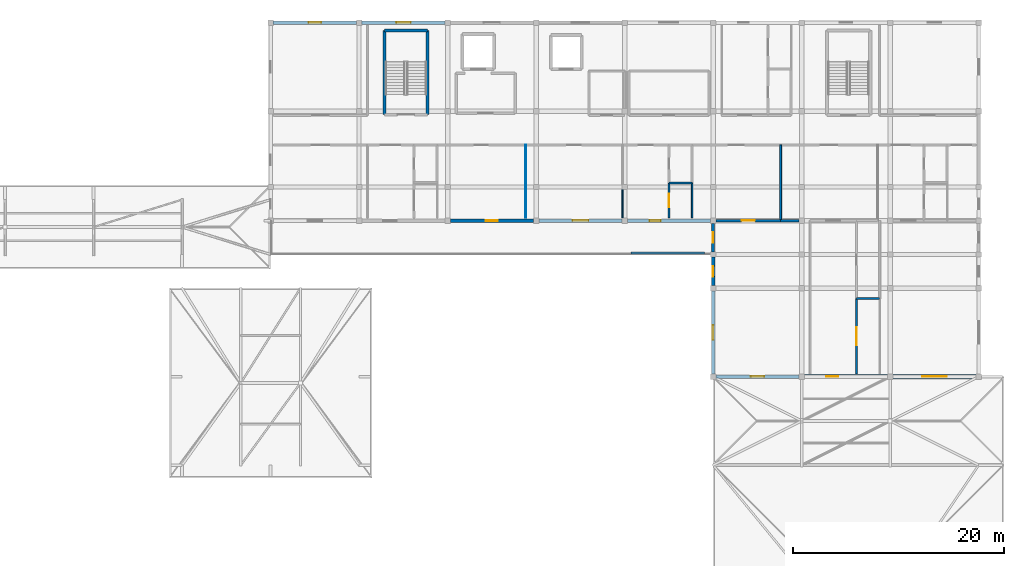
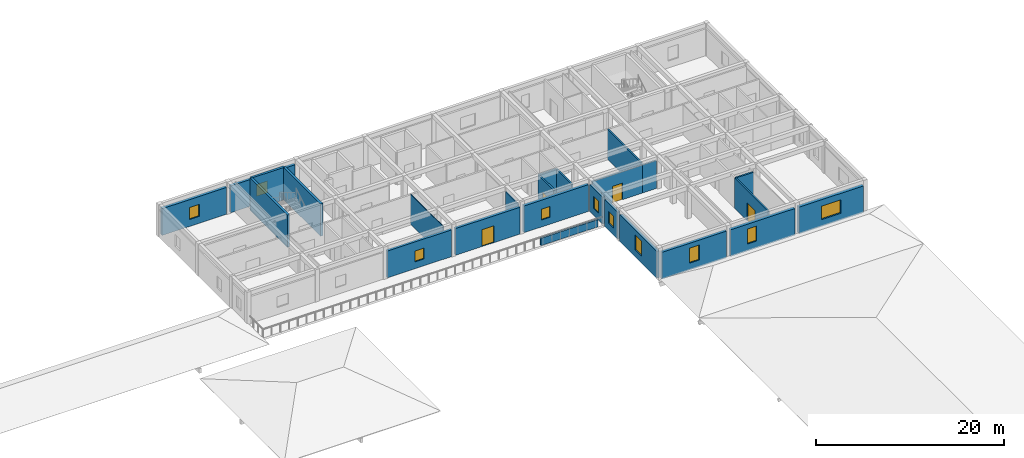
# One storey, part 15 of 26: 25 walls, 10 windows, 4 doors, 14 openings.
"""IFC4 building model written with IfcOpenShell, lengths in metres."""

from ifc_helpers import new_model, si_unit, direction, frame, frame_2d, origin, place, context, subcontext, project, spatial, rectangle, extrude, material, layer, layer_set, type_object, element, fill, save


model = new_model("IFC4")

# Units and contexts
model_context = context("Model", 3, precision=1e-05, world=origin(), true_north=direction((0.0, 1.0)))
body_context = subcontext(model_context, "Body", "Model", "MODEL_VIEW")
ifc_project = project(units=[si_unit("LENGTHUNIT", "METRE"), si_unit("AREAUNIT", "SQUARE_METRE"), si_unit("VOLUMEUNIT", "CUBIC_METRE"), si_unit("PLANEANGLEUNIT", "RADIAN"), si_unit("MASSUNIT", "GRAM", prefix="KILO")], contexts=[model_context])

# Site, building, storey
site_placement = place(None, origin())
site = spatial("IfcSite", under=ifc_project, at=site_placement, CompositionType="ELEMENT")
building_placement = place(site_placement, origin())
building = spatial("IfcBuilding", under=site, at=building_placement, Name="Varncliffe General Hospital", CompositionType="ELEMENT")
storey_placement = place(building_placement, frame((0.0, 0.0, 28.800048828125)))
storey = spatial("IfcBuildingStorey", under=building, at=storey_placement, Name="L06", CompositionType="ELEMENT", Elevation=28.800048828125)

# Wall, opening, window
ifc_material_1 = material(Name="Precast concrete C40/50 with insulated cream lime-cement stucco", Category="concrete")
ifc_layer_1 = layer(ifc_material_1, 0.31005859375)
ifc_layer_set_1 = layer_set([ifc_layer_1], Name="Precast concrete C40/50 with insulated cream lime-cement stucco")
wall_type_1 = type_object("IfcWallType", Name="Exterior Insulated Stucco Wall EW20 (310mm)", PredefinedType="SOLIDWALL", material=ifc_layer_set_1)
wall_1_placement = place(storey_placement, frame((134.152099609375, 106.0, 0.0), z_axis=(0.0, 0.0, 1.0), x_axis=(-1.0, 0.0, 0.0)))
wall_1 = element("IfcWall", 1, at=wall_1_placement, inside=storey, type_object=wall_type_1, Name="L06 Exterior Stucco Wall EW20-511", PredefinedType="SOLIDWALL", context=body_context, shape_type="SweptSolid", body=[
    extrude(rectangle(XDim=7.904052734375, YDim=0.31005859375, at=frame_2d((3.9521484375, 0.0))), origin(), (0.0, 0.0, 1.0), 3.47998046875),
])
opening_1_placement = place(wall_1_placement, frame((3.376953125, 0.0, 0.89990234375)))
opening_1 = element("IfcOpeningElement", 2, at=opening_1_placement, cuts=wall_1, Name="Opening WN62", PredefinedType="OPENING", context=body_context, shape_type="SweptSolid", body=[
    extrude(rectangle(XDim=1.14990234375, YDim=1.39990234375, at=frame_2d((0.574951171875, 0.699951171875))), frame((0.0, 0.1650390625, 0.0), z_axis=(0.0, -1.0, 0.0), x_axis=(1.0, 0.0, 0.0)), (0.0, 0.0, 1.0), 0.330078125),
])
ifc_material_2 = material(Name="Triple low-E argon insulated vision glazing", Category="glass")
window_type_1 = type_object("IfcWindowType", Name="Triple-Glazed Hospital Window WN62 (1150x1400)", PartitioningType="SINGLE_PANEL", PredefinedType="WINDOW", material=ifc_material_2)
window_1_placement = place(opening_1_placement, origin())
window_1 = element("IfcWindow", 3, at=window_1_placement, inside=storey, type_object=window_type_1, Name="L06 Hospital Window WN62-400", OverallHeight=1.39990234375, OverallWidth=1.14990234375, PartitioningType="SINGLE_PANEL", PredefinedType="WINDOW", context=body_context, shape_type="SweptSolid", body=[
    extrude(rectangle(XDim=1.14990234375, YDim=1.39990234375, at=frame_2d((0.574951171875, 0.699951171875))), frame((0.0, 0.030029296875, 0.0), z_axis=(0.0, -1.0, 0.0), x_axis=(1.0, 0.0, 0.0)), (0.0, 0.0, 1.0), 0.06005859375),
])
fill(opening_1, window_1)

wall_2_placement = place(storey_placement, frame((151.199951171875, 99.847900390625, 0.0), z_axis=(0.0, 0.0, 1.0), x_axis=(0.0, 1.0, 0.0)))
wall_2 = element("IfcWall", 4, at=wall_2_placement, inside=storey, type_object=wall_type_1, Name="L06 Exterior Stucco Wall EW20-535", PredefinedType="SOLIDWALL", context=body_context, shape_type="SweptSolid", body=[
    extrude(rectangle(XDim=2.7041015625, YDim=0.31005859375, at=frame_2d((1.35205078125, 0.0))), origin(), (0.0, 0.0, 1.0), 3.47998046875),
])
opening_2_placement = place(wall_2_placement, frame((0.85205078125, 0.0, 0.89990234375)))
opening_2 = element("IfcOpeningElement", 5, at=opening_2_placement, cuts=wall_2, Name="Opening WN21", PredefinedType="OPENING", context=body_context, shape_type="SweptSolid", body=[
    extrude(rectangle(XDim=1.0, YDim=1.550048828125, at=frame_2d((0.5, 0.77490234375))), frame((0.0, 0.1650390625, 0.0), z_axis=(0.0, -1.0, 0.0), x_axis=(1.0, 0.0, 0.0)), (0.0, 0.0, 1.0), 0.330078125),
])
window_type_2 = type_object("IfcWindowType", Name="Triple-Glazed Hospital Window WN21 (1000x1550)", PartitioningType="SINGLE_PANEL", PredefinedType="WINDOW", material=ifc_material_2)
window_2_placement = place(opening_2_placement, origin())
window_2 = element("IfcWindow", 6, at=window_2_placement, inside=storey, type_object=window_type_2, Name="L06 Hospital Window WN21-423", OverallHeight=1.550048828125, OverallWidth=1.0, PartitioningType="SINGLE_PANEL", PredefinedType="WINDOW", context=body_context, shape_type="SweptSolid", body=[
    extrude(rectangle(XDim=1.0, YDim=1.550048828125, at=frame_2d((0.5, 0.77490234375))), frame((0.0, 0.030029296875, 0.0), z_axis=(0.0, -1.0, 0.0), x_axis=(1.0, 0.0, 0.0)), (0.0, 0.0, 1.0), 0.06005859375),
])
fill(opening_2, window_2)

ifc_layer_2 = layer(ifc_material_1, 0.3798828125)
ifc_layer_set_2 = layer_set([ifc_layer_2], Name="Precast concrete C40/50 with insulated cream lime-cement stucco")
wall_type_2 = type_object("IfcWallType", Name="Exterior Insulated Stucco Wall EW26 (380mm)", PredefinedType="SOLIDWALL", material=ifc_layer_set_2)
wall_3_placement = place(storey_placement, frame((167.751953125, 91.199951171875, 0.0), z_axis=(0.0, 0.0, 1.0), x_axis=(-1.0, 0.0, 0.0)))
wall_3 = element("IfcWall", 7, at=wall_3_placement, inside=storey, type_object=wall_type_2, Name="L06 Exterior Stucco Wall EW26-532", PredefinedType="SOLIDWALL", context=body_context, shape_type="SweptSolid", body=[
    extrude(rectangle(XDim=7.904052734375, YDim=0.3798828125, at=frame_2d((3.9521484375, 0.0))), origin(), (0.0, 0.0, 1.0), 3.47998046875),
])
opening_3_placement = place(wall_3_placement, frame((4.700927734375, 0.0, 0.89990234375)))
opening_3 = element("IfcOpeningElement", 8, at=opening_3_placement, cuts=wall_3, Name="Opening WN41", PredefinedType="OPENING", context=body_context, shape_type="SweptSolid", body=[
    extrude(rectangle(XDim=1.10009765625, YDim=1.949951171875, at=frame_2d((0.550048828125, 0.97509765625))), frame((0.0, 0.199951171875, 0.0), z_axis=(0.0, -1.0, 0.0), x_axis=(1.0, 0.0, 0.0)), (0.0, 0.0, 1.0), 0.39990234375),
])
window_type_3 = type_object("IfcWindowType", Name="Triple-Glazed Hospital Window WN41 (1100x1950)", PartitioningType="SINGLE_PANEL", PredefinedType="WINDOW", material=ifc_material_2)
window_3_placement = place(opening_3_placement, origin())
window_3 = element("IfcWindow", 9, at=window_3_placement, inside=storey, type_object=window_type_3, Name="L06 Hospital Window WN41-420", OverallHeight=1.949951171875, OverallWidth=1.10009765625, PartitioningType="SINGLE_PANEL", PredefinedType="WINDOW", context=body_context, shape_type="SweptSolid", body=[
    extrude(rectangle(XDim=1.10009765625, YDim=1.949951171875, at=frame_2d((0.550048828125, 0.97509765625))), frame((0.0, 0.030029296875, 0.0), z_axis=(0.0, -1.0, 0.0), x_axis=(1.0, 0.0, 0.0)), (0.0, 0.0, 1.0), 0.06005859375),
])
fill(opening_3, window_3)

ifc_layer_3 = layer(ifc_material_1, 0.2900390625)
ifc_layer_set_3 = layer_set([ifc_layer_3], Name="Precast concrete C40/50 with insulated cream lime-cement stucco")
wall_type_3 = type_object("IfcWallType", Name="Exterior Insulated Stucco Wall EW31 (290mm)", PredefinedType="SOLIDWALL", material=ifc_layer_set_3)
wall_4_placement = place(storey_placement, frame((151.199951171875, 103.048095703125, 0.0), z_axis=(0.0, 0.0, 1.0), x_axis=(0.0, 1.0, 0.0)))
wall_4 = element("IfcWall", 10, at=wall_4_placement, inside=storey, type_object=wall_type_3, Name="L06 Exterior Stucco Wall EW31-536", PredefinedType="SOLIDWALL", context=body_context, shape_type="SweptSolid", body=[
    extrude(rectangle(XDim=2.703857421875, YDim=0.2900390625, at=frame_2d((1.35205078125, 0.0))), origin(), (0.0, 0.0, 1.0), 3.47998046875),
])
opening_4_placement = place(wall_4_placement, frame((0.85205078125, 0.0, 0.89990234375)))
opening_4 = element("IfcOpeningElement", 11, at=opening_4_placement, cuts=wall_4, Name="Opening WN21", PredefinedType="OPENING", context=body_context, shape_type="SweptSolid", body=[
    extrude(rectangle(XDim=1.0, YDim=1.550048828125, at=frame_2d((0.5, 0.77490234375))), frame((0.0, 0.155029296875, 0.0), z_axis=(0.0, -1.0, 0.0), x_axis=(1.0, 0.0, 0.0)), (0.0, 0.0, 1.0), 0.31005859375),
])
window_4_placement = place(opening_4_placement, origin())
window_4 = element("IfcWindow", 12, at=window_4_placement, inside=storey, type_object=window_type_2, Name="L06 Hospital Window WN21-424", OverallHeight=1.550048828125, OverallWidth=1.0, PartitioningType="SINGLE_PANEL", PredefinedType="WINDOW", context=body_context, shape_type="SweptSolid", body=[
    extrude(rectangle(XDim=1.0, YDim=1.550048828125, at=frame_2d((0.5, 0.77490234375))), frame((0.0, 0.030029296875, 0.0), z_axis=(0.0, -1.0, 0.0), x_axis=(1.0, 0.0, 0.0)), (0.0, 0.0, 1.0), 0.06005859375),
])
fill(opening_4, window_4)

# Wall, opening, door
ifc_layer_4 = layer(ifc_material_1, 0.330078125)
ifc_layer_set_4 = layer_set([ifc_layer_4], Name="Precast concrete C40/50 with insulated cream lime-cement stucco")
wall_type_4 = type_object("IfcWallType", Name="Exterior Insulated Stucco Wall EW33 (330mm)", PredefinedType="SOLIDWALL", material=ifc_layer_set_4)
wall_5_placement = place(storey_placement, frame((142.552001953125, 106.0, 0.0), z_axis=(0.0, 0.0, 1.0), x_axis=(-1.0, 0.0, 0.0)))
wall_5 = element("IfcWall", 13, at=wall_5_placement, inside=storey, type_object=wall_type_4, Name="L06 Exterior Stucco Wall EW33-510", PredefinedType="SOLIDWALL", context=body_context, shape_type="SweptSolid", body=[
    extrude(rectangle(XDim=7.904052734375, YDim=0.330078125, at=frame_2d((3.9521484375, 0.0))), origin(), (0.0, 0.0, 1.0), 3.47998046875),
])
opening_5_placement = place(wall_5_placement, frame((3.201904296875, 0.0, 0.0)))
opening_5 = element("IfcOpeningElement", 14, at=opening_5_placement, cuts=wall_5, Name="Opening DE33", PredefinedType="OPENING", context=body_context, shape_type="SweptSolid", body=[
    extrude(rectangle(XDim=1.5, YDim=2.199951171875, at=frame_2d((0.75, 1.10009765625))), frame((0.0, 0.175048828125, 0.0), z_axis=(0.0, -1.0, 0.0), x_axis=(1.0, 0.0, 0.0)), (0.0, 0.0, 1.0), 0.35009765625),
])
ifc_material_3 = material(Name="Thermally broken bronze-anodized aluminium and safety glass door", Category="aluminium")
door_type_1 = type_object("IfcDoorType", Name="Exterior Pedestrian Door DE33 (1500x2200)", OperationType="NOTDEFINED", PredefinedType="DOOR", material=ifc_material_3)
door_1_placement = place(opening_5_placement, origin())
door_1 = element("IfcDoor", 15, at=door_1_placement, inside=storey, type_object=door_type_1, Name="L06 Healing Terrace Access Door 42", OperationType="SINGLE_SWING_LEFT", OverallHeight=2.199951171875, OverallWidth=1.5, PredefinedType="DOOR", context=body_context, shape_type="SweptSolid", body=[
    extrude(rectangle(XDim=1.5, YDim=2.199951171875, at=frame_2d((0.75, 1.10009765625))), frame((0.0, 0.02490234375, 0.0), z_axis=(0.0, -1.0, 0.0), x_axis=(1.0, 0.0, 0.0)), (0.0, 0.0, 1.0), 0.050048828125),
])
fill(opening_5, door_1)

# Wall, opening, window
wall_6_placement = place(storey_placement, frame((117.847900390625, 124.800048828125, 0.0), z_axis=(0.0, 0.0, 1.0), x_axis=(1.0, 0.0, 0.0)))
wall_6 = element("IfcWall", 16, at=wall_6_placement, inside=storey, type_object=wall_type_4, Name="L06 Exterior Stucco Wall EW33-518", PredefinedType="SOLIDWALL", context=body_context, shape_type="SweptSolid", body=[
    extrude(rectangle(XDim=7.904052734375, YDim=0.330078125, at=frame_2d((3.9521484375, 0.0))), origin(), (0.0, 0.0, 1.0), 3.47998046875),
])
opening_6_placement = place(wall_6_placement, frame((3.277099609375, 0.0, 0.89990234375)))
opening_6 = element("IfcOpeningElement", 17, at=opening_6_placement, cuts=wall_6, Name="Opening WN24", PredefinedType="OPENING", context=body_context, shape_type="SweptSolid", body=[
    extrude(rectangle(XDim=1.35009765625, YDim=1.550048828125, at=frame_2d((0.675048828125, 0.77490234375))), frame((0.0, 0.175048828125, 0.0), z_axis=(0.0, -1.0, 0.0), x_axis=(1.0, 0.0, 0.0)), (0.0, 0.0, 1.0), 0.35009765625),
])
window_type_4 = type_object("IfcWindowType", Name="Triple-Glazed Hospital Window WN24 (1350x1550)", PartitioningType="SINGLE_PANEL", PredefinedType="WINDOW", material=ifc_material_2)
window_5_placement = place(opening_6_placement, origin())
window_5 = element("IfcWindow", 18, at=window_5_placement, inside=storey, type_object=window_type_4, Name="L06 Hospital Window WN24-407", OverallHeight=1.550048828125, OverallWidth=1.35009765625, PartitioningType="SINGLE_PANEL", PredefinedType="WINDOW", context=body_context, shape_type="SweptSolid", body=[
    extrude(rectangle(XDim=1.35009765625, YDim=1.550048828125, at=frame_2d((0.675048828125, 0.77490234375))), frame((0.0, 0.030029296875, 0.0), z_axis=(0.0, -1.0, 0.0), x_axis=(1.0, 0.0, 0.0)), (0.0, 0.0, 1.0), 0.06005859375),
])
fill(opening_6, window_5)

wall_7_placement = place(storey_placement, frame((151.199951171875, 91.447998046875, 0.0), z_axis=(0.0, 0.0, 1.0), x_axis=(0.0, 1.0, 0.0)))
wall_7 = element("IfcWall", 19, at=wall_7_placement, inside=storey, type_object=wall_type_4, Name="L06 Exterior Stucco Wall EW33-534", PredefinedType="SOLIDWALL", context=body_context, shape_type="SweptSolid", body=[
    extrude(rectangle(XDim=7.904052734375, YDim=0.330078125, at=frame_2d((3.9521484375, 0.0))), origin(), (0.0, 0.0, 1.0), 3.47998046875),
])
opening_7_placement = place(wall_7_placement, frame((3.251953125, 0.0, 0.89990234375)))
opening_7 = element("IfcOpeningElement", 20, at=opening_7_placement, cuts=wall_7, Name="Opening WN22", PredefinedType="OPENING", context=body_context, shape_type="SweptSolid", body=[
    extrude(rectangle(XDim=1.39990234375, YDim=1.949951171875, at=frame_2d((0.699951171875, 0.97509765625))), frame((0.0, 0.175048828125, 0.0), z_axis=(0.0, -1.0, 0.0), x_axis=(1.0, 0.0, 0.0)), (0.0, 0.0, 1.0), 0.35009765625),
])
window_type_5 = type_object("IfcWindowType", Name="Triple-Glazed Hospital Window WN22 (1400x1950)", PartitioningType="SINGLE_PANEL", PredefinedType="WINDOW", material=ifc_material_2)
window_6_placement = place(opening_7_placement, origin())
window_6 = element("IfcWindow", 21, at=window_6_placement, inside=storey, type_object=window_type_5, Name="L06 Hospital Window WN22-422", OverallHeight=1.949951171875, OverallWidth=1.39990234375, PartitioningType="SINGLE_PANEL", PredefinedType="WINDOW", context=body_context, shape_type="SweptSolid", body=[
    extrude(rectangle(XDim=1.39990234375, YDim=1.949951171875, at=frame_2d((0.699951171875, 0.97509765625))), frame((0.0, 0.030029296875, 0.0), z_axis=(0.0, -1.0, 0.0), x_axis=(1.0, 0.0, 0.0)), (0.0, 0.0, 1.0), 0.06005859375),
])
fill(opening_7, window_6)

ifc_layer_5 = layer(ifc_material_1, 0.35009765625)
ifc_layer_set_5 = layer_set([ifc_layer_5], Name="Precast concrete C40/50 with insulated cream lime-cement stucco")
wall_type_5 = type_object("IfcWallType", Name="Exterior Insulated Stucco Wall EW37 (350mm)", PredefinedType="SOLIDWALL", material=ifc_layer_set_5)
wall_8_placement = place(storey_placement, frame((150.951904296875, 106.0, 0.0), z_axis=(0.0, 0.0, 1.0), x_axis=(-1.0, 0.0, 0.0)))
wall_8 = element("IfcWall", 22, at=wall_8_placement, inside=storey, type_object=wall_type_5, Name="L06 Exterior Stucco Wall EW37-509", PredefinedType="SOLIDWALL", context=body_context, shape_type="SweptSolid", body=[
    extrude(rectangle(XDim=7.90380859375, YDim=0.35009765625, at=frame_2d((3.951904296875, 0.0))), origin(), (0.0, 0.0, 1.0), 3.47998046875),
])
opening_8_placement = place(wall_8_placement, frame((4.73681640625, 0.0, 0.89990234375)))
opening_8 = element("IfcOpeningElement", 23, at=opening_8_placement, cuts=wall_8, Name="Opening WN68", PredefinedType="OPENING", context=body_context, shape_type="SweptSolid", body=[
    extrude(rectangle(XDim=1.050048828125, YDim=1.39990234375, at=frame_2d((0.52490234375, 0.699951171875))), frame((0.0, 0.18505859375, 0.0), z_axis=(0.0, -1.0, 0.0), x_axis=(1.0, 0.0, 0.0)), (0.0, 0.0, 1.0), 0.3701171875),
])
window_type_6 = type_object("IfcWindowType", Name="Triple-Glazed Hospital Window WN68 (1050x1400)", PartitioningType="SINGLE_PANEL", PredefinedType="WINDOW", material=ifc_material_2)
window_7_placement = place(opening_8_placement, origin())
window_7 = element("IfcWindow", 24, at=window_7_placement, inside=storey, type_object=window_type_6, Name="L06 Hospital Window WN68-399", OverallHeight=1.39990234375, OverallWidth=1.050048828125, PartitioningType="SINGLE_PANEL", PredefinedType="WINDOW", context=body_context, shape_type="SweptSolid", body=[
    extrude(rectangle(XDim=1.050048828125, YDim=1.39990234375, at=frame_2d((0.52490234375, 0.699951171875))), frame((0.0, 0.030029296875, 0.0), z_axis=(0.0, -1.0, 0.0), x_axis=(1.0, 0.0, 0.0)), (0.0, 0.0, 1.0), 0.06005859375),
])
fill(opening_8, window_7)

wall_9_placement = place(storey_placement, frame((109.447998046875, 124.800048828125, 0.0), z_axis=(0.0, 0.0, 1.0), x_axis=(1.0, 0.0, 0.0)))
wall_9 = element("IfcWall", 25, at=wall_9_placement, inside=storey, type_object=wall_type_5, Name="L06 Exterior Stucco Wall EW37-517", PredefinedType="SOLIDWALL", context=body_context, shape_type="SweptSolid", body=[
    extrude(rectangle(XDim=7.904052734375, YDim=0.35009765625, at=frame_2d((3.9521484375, 0.0))), origin(), (0.0, 0.0, 1.0), 3.47998046875),
])
opening_9_placement = place(wall_9_placement, frame((3.35205078125, 0.0, 0.89990234375)))
opening_9 = element("IfcOpeningElement", 26, at=opening_9_placement, cuts=wall_9, Name="Opening WN33", PredefinedType="OPENING", context=body_context, shape_type="SweptSolid", body=[
    extrude(rectangle(XDim=1.199951171875, YDim=1.550048828125, at=frame_2d((0.60009765625, 0.77490234375))), frame((0.0, 0.18505859375, 0.0), z_axis=(0.0, -1.0, 0.0), x_axis=(1.0, 0.0, 0.0)), (0.0, 0.0, 1.0), 0.3701171875),
])
window_type_7 = type_object("IfcWindowType", Name="Triple-Glazed Hospital Window WN33 (1200x1550)", PartitioningType="SINGLE_PANEL", PredefinedType="WINDOW", material=ifc_material_2)
window_8_placement = place(opening_9_placement, origin())
window_8 = element("IfcWindow", 27, at=window_8_placement, inside=storey, type_object=window_type_7, Name="L06 Hospital Window WN33-406", OverallHeight=1.550048828125, OverallWidth=1.199951171875, PartitioningType="SINGLE_PANEL", PredefinedType="WINDOW", context=body_context, shape_type="SweptSolid", body=[
    extrude(rectangle(XDim=1.199951171875, YDim=1.550048828125, at=frame_2d((0.60009765625, 0.77490234375))), frame((0.0, 0.030029296875, 0.0), z_axis=(0.0, -1.0, 0.0), x_axis=(1.0, 0.0, 0.0)), (0.0, 0.0, 1.0), 0.06005859375),
])
fill(opening_9, window_8)

wall_10_placement = place(storey_placement, frame((159.35205078125, 91.199951171875, 0.0), z_axis=(0.0, 0.0, 1.0), x_axis=(-1.0, 0.0, 0.0)))
wall_10 = element("IfcWall", 28, at=wall_10_placement, inside=storey, type_object=wall_type_5, Name="L06 Exterior Stucco Wall EW37-533", PredefinedType="SOLIDWALL", context=body_context, shape_type="SweptSolid", body=[
    extrude(rectangle(XDim=7.904052734375, YDim=0.35009765625, at=frame_2d((3.9521484375, 0.0))), origin(), (0.0, 0.0, 1.0), 3.47998046875),
])
opening_10_placement = place(wall_10_placement, frame((3.326904296875, 0.0, 0.89990234375)))
opening_10 = element("IfcOpeningElement", 29, at=opening_10_placement, cuts=wall_10, Name="Opening WN49", PredefinedType="OPENING", context=body_context, shape_type="SweptSolid", body=[
    extrude(rectangle(XDim=1.25, YDim=1.949951171875, at=frame_2d((0.625, 0.97509765625))), frame((0.0, 0.18505859375, 0.0), z_axis=(0.0, -1.0, 0.0), x_axis=(1.0, 0.0, 0.0)), (0.0, 0.0, 1.0), 0.3701171875),
])
window_type_8 = type_object("IfcWindowType", Name="Triple-Glazed Hospital Window WN49 (1250x1950)", PartitioningType="SINGLE_PANEL", PredefinedType="WINDOW", material=ifc_material_2)
window_9_placement = place(opening_10_placement, origin())
window_9 = element("IfcWindow", 30, at=window_9_placement, inside=storey, type_object=window_type_8, Name="L06 Hospital Window WN49-421", OverallHeight=1.949951171875, OverallWidth=1.25, PartitioningType="SINGLE_PANEL", PredefinedType="WINDOW", context=body_context, shape_type="SweptSolid", body=[
    extrude(rectangle(XDim=1.25, YDim=1.949951171875, at=frame_2d((0.625, 0.97509765625))), frame((0.0, 0.030029296875, 0.0), z_axis=(0.0, -1.0, 0.0), x_axis=(1.0, 0.0, 0.0)), (0.0, 0.0, 1.0), 0.06005859375),
])
fill(opening_10, window_9)

ifc_layer_6 = layer(ifc_material_1, 0.39990234375)
ifc_layer_set_6 = layer_set([ifc_layer_6], Name="Precast concrete C40/50 with insulated cream lime-cement stucco")
wall_type_6 = type_object("IfcWallType", Name="Exterior Insulated Stucco Wall EW47 (400mm)", PredefinedType="SOLIDWALL", material=ifc_layer_set_6)
wall_11_placement = place(storey_placement, frame((176.152099609375, 91.199951171875, 0.0), z_axis=(0.0, 0.0, 1.0), x_axis=(-1.0, 0.0, 0.0)))
wall_11 = element("IfcWall", 31, at=wall_11_placement, inside=storey, type_object=wall_type_6, Name="L06 Exterior Stucco Wall EW47-531", PredefinedType="SOLIDWALL", context=body_context, shape_type="SweptSolid", body=[
    extrude(rectangle(XDim=7.904052734375, YDim=0.39990234375, at=frame_2d((3.9521484375, 0.0))), origin(), (0.0, 0.0, 1.0), 3.47998046875),
])
opening_11_placement = place(wall_11_placement, frame((2.777099609375, 0.0, 0.89990234375)))
opening_11 = element("IfcOpeningElement", 32, at=opening_11_placement, cuts=wall_11, Name="Opening WN31", PredefinedType="OPENING", context=body_context, shape_type="SweptSolid", body=[
    extrude(rectangle(XDim=2.35009765625, YDim=1.75, at=frame_2d((1.175048828125, 0.875))), frame((0.0, 0.2099609375, 0.0), z_axis=(0.0, -1.0, 0.0), x_axis=(1.0, 0.0, 0.0)), (0.0, 0.0, 1.0), 0.419921875),
])
window_type_9 = type_object("IfcWindowType", Name="Triple-Glazed Hospital Window WN31 (2350x1750)", PartitioningType="DOUBLE_PANEL_VERTICAL", PredefinedType="WINDOW", material=ifc_material_2)
window_10_placement = place(opening_11_placement, origin())
window_10 = element("IfcWindow", 33, at=window_10_placement, inside=storey, type_object=window_type_9, Name="L06 Hospital Window WN31-419", OverallHeight=1.75, OverallWidth=2.35009765625, PartitioningType="DOUBLE_PANEL_VERTICAL", PredefinedType="WINDOW", context=body_context, shape_type="SweptSolid", body=[
    extrude(rectangle(XDim=2.35009765625, YDim=1.75, at=frame_2d((1.175048828125, 0.875))), frame((0.0, 0.030029296875, 0.0), z_axis=(0.0, -1.0, 0.0), x_axis=(1.0, 0.0, 0.0)), (0.0, 0.0, 1.0), 0.06005859375),
])
fill(opening_11, window_10)

# Walls
ifc_material_4 = material(Name="Acoustic clinical gypsum stud partition assembly", Category="gypsum")
ifc_layer_7 = layer(ifc_material_4, 0.1298828125)
ifc_layer_set_7 = layer_set([ifc_layer_7], Name="Acoustic clinical gypsum stud partition assembly")
wall_type_7 = type_object("IfcWallType", Name="Interior Partitioning IW11 (130mm)", PredefinedType="PARTITIONING", material=ifc_layer_set_7)
wall_12_placement = place(storey_placement, frame((142.60009765625, 106.264892578125, 0.0), z_axis=(0.0, 0.0, 1.0), x_axis=(0.0, 1.0, 0.0)))
element("IfcWall", 34, at=wall_12_placement, inside=storey, type_object=wall_type_7, Name="L06 Interior Partition Wall IW11-2304", PredefinedType="PARTITIONING", context=body_context, shape_type="SweptSolid", body=[
    extrude(rectangle(XDim=2.670166015625, YDim=0.1298828125, at=frame_2d((1.3349609375, 0.0))), origin(), (0.0, 0.0, 1.0), 3.635009765625),
])
ifc_layer_8 = layer(ifc_material_4, 0.169921875)
ifc_layer_set_8 = layer_set([ifc_layer_8], Name="Acoustic clinical gypsum stud partition assembly")
wall_type_8 = type_object("IfcWallType", Name="Interior Partitioning IW20 (170mm)", PredefinedType="PARTITIONING", material=ifc_layer_set_8)
wall_13_placement = place(storey_placement, frame((157.60009765625, 106.0, 0.0), z_axis=(0.0, 0.0, 1.0), x_axis=(0.0, 1.0, 0.0)))
element("IfcWall", 35, at=wall_13_placement, inside=storey, type_object=wall_type_8, Name="L06 Interior Partition Wall IW20-2315", PredefinedType="PARTITIONING", context=body_context, shape_type="SweptSolid", body=[
    extrude(rectangle(XDim=7.199951171875, YDim=0.169921875, at=frame_2d((3.60009765625, 0.0))), origin(), (0.0, 0.0, 1.0), 3.919921875),
])
ifc_layer_9 = layer(ifc_material_4, 0.14990234375)
ifc_layer_set_9 = layer_set([ifc_layer_9], Name="Acoustic clinical gypsum stud partition assembly")
wall_type_9 = type_object("IfcWallType", Name="Interior Partitioning IW35 (150mm)", PredefinedType="PARTITIONING", material=ifc_layer_set_9)
wall_14_placement = place(storey_placement, frame((149.199951171875, 106.260009765625, 0.0), z_axis=(0.0, 0.0, 1.0), x_axis=(0.0, 1.0, 0.0)))
element("IfcWall", 36, at=wall_14_placement, inside=storey, type_object=wall_type_9, Name="L06 Interior Partition Wall IW35-2309", PredefinedType="PARTITIONING", context=body_context, shape_type="SweptSolid", body=[
    extrude(rectangle(XDim=3.340087890625, YDim=0.14990234375, at=frame_2d((1.669921875, 0.0))), origin(), (0.0, 0.0, 1.0), 3.919921875),
])
ifc_layer_10 = layer(ifc_material_4, 0.090087890625)
ifc_layer_set_10 = layer_set([ifc_layer_10], Name="Acoustic clinical gypsum stud partition assembly")
wall_type_10 = type_object("IfcWallType", Name="Interior Partitioning IW42 (90mm)", PredefinedType="PARTITIONING", material=ifc_layer_set_10)
wall_15_placement = place(storey_placement, frame((133.39990234375, 106.260009765625, 0.0), z_axis=(0.0, 0.0, 1.0), x_axis=(0.0, 1.0, 0.0)))
element("IfcWall", 37, at=wall_15_placement, inside=storey, type_object=wall_type_10, Name="L06 Interior Partition Wall IW42-2301", PredefinedType="PARTITIONING", context=body_context, shape_type="SweptSolid", body=[
    extrude(rectangle(XDim=6.93994140625, YDim=0.090087890625, at=frame_2d((3.469970703125, 0.0))), origin(), (0.0, 0.0, 1.0), 3.919921875),
])

# Wall, opening, door
ifc_material_5 = material(Name="Fire-rated gypsum and mineral-wool partition assembly", Category="gypsum")
ifc_layer_11 = layer(ifc_material_5, 0.199951171875)
ifc_layer_set_11 = layer_set([ifc_layer_11], Name="Fire-rated gypsum and mineral-wool partition assembly")
wall_type_11 = type_object("IfcWallType", Name="Interior Partitioning PW63 (200mm)", PredefinedType="PARTITIONING", material=ifc_layer_set_11)
wall_16_placement = place(storey_placement, frame((151.465087890625, 106.0, 0.0), z_axis=(0.0, 0.0, 1.0), x_axis=(1.0, 0.0, 0.0)))
wall_16 = element("IfcWall", 38, at=wall_16_placement, inside=storey, type_object=wall_type_11, Name="L06 Interior Partition Wall PW63-2199", PredefinedType="PARTITIONING", context=body_context, shape_type="SweptSolid", body=[
    extrude(rectangle(XDim=6.135009765625, YDim=0.199951171875, at=frame_2d((3.0673828125, 0.0))), origin(), (0.0, 0.0, 1.0), 3.635009765625),
])
opening_12_placement = place(wall_16_placement, frame((2.4423828125, 0.0, 0.0)))
opening_12 = element("IfcOpeningElement", 39, at=opening_12_placement, cuts=wall_16, Name="Opening DC44", PredefinedType="OPENING", context=body_context, shape_type="SweptSolid", body=[
    extrude(rectangle(XDim=1.25, YDim=2.14990234375, at=frame_2d((0.625, 1.074951171875))), frame((0.0, 0.10986328125, 0.0), z_axis=(0.0, -1.0, 0.0), x_axis=(1.0, 0.0, 0.0)), (0.0, 0.0, 1.0), 0.219970703125),
])
ifc_material_6 = material(Name="Fire-rated hospital steel-frame vision-panel door", Category="steel")
door_type_2 = type_object("IfcDoorType", Name="Interior Hospital Door DC44 (1250x2150)", OperationType="NOTDEFINED", PredefinedType="DOOR", material=ifc_material_6)
door_2_placement = place(opening_12_placement, frame((1.25, 0.0, 0.0), z_axis=(0.0, 0.0, 1.0), x_axis=(-1.0, 0.0, 0.0)))
door_2 = element("IfcDoor", 40, at=door_2_placement, inside=storey, type_object=door_type_2, Name="L06 Neonatal Intensive Care Nursery NICU 59 Door", OperationType="SINGLE_SWING_RIGHT", OverallHeight=2.14990234375, OverallWidth=1.25, PredefinedType="DOOR", context=body_context, shape_type="SweptSolid", body=[
    extrude(rectangle(XDim=1.25, YDim=2.14990234375, at=frame_2d((0.625, 1.074951171875))), frame((0.0, 0.02490234375, 0.0), z_axis=(0.0, -1.0, 0.0), x_axis=(1.0, 0.0, 0.0)), (0.0, 0.0, 1.0), 0.050048828125),
])
fill(opening_12, door_2)

# Wall
wall_17_placement = place(storey_placement, frame((157.60009765625, 106.0, 0.0), z_axis=(0.0, 0.0, 1.0), x_axis=(1.0, 0.0, 0.0)))
element("IfcWall", 41, at=wall_17_placement, inside=storey, type_object=wall_type_11, Name="L06 Interior Partition Wall PW63-2200", PredefinedType="PARTITIONING", context=body_context, shape_type="SweptSolid", body=[
    extrude(rectangle(XDim=1.73486328125, YDim=0.199951171875, at=frame_2d((0.867431640625, 0.0))), origin(), (0.0, 0.0, 1.0), 3.635009765625),
])

# Wall, opening, door
wall_18_placement = place(storey_placement, frame((147.0, 106.260009765625, 0.0), z_axis=(0.0, 0.0, 1.0), x_axis=(0.0, 1.0, 0.0)))
wall_18 = element("IfcWall", 42, at=wall_18_placement, inside=storey, type_object=wall_type_11, Name="L06 Interior Partition Wall PW63-2307", PredefinedType="PARTITIONING", context=body_context, shape_type="SweptSolid", body=[
    extrude(rectangle(XDim=3.340087890625, YDim=0.199951171875, at=frame_2d((1.669921875, 0.0))), origin(), (0.0, 0.0, 1.0), 3.919921875),
])
opening_13_placement = place(wall_18_placement, frame((1.02001953125, 0.0, 0.0)))
opening_13 = element("IfcOpeningElement", 43, at=opening_13_placement, cuts=wall_18, Name="Opening DC88", PredefinedType="OPENING", context=body_context, shape_type="SweptSolid", body=[
    extrude(rectangle(XDim=1.300048828125, YDim=2.199951171875, at=frame_2d((0.64990234375, 1.10009765625))), frame((0.0, 0.10986328125, 0.0), z_axis=(0.0, -1.0, 0.0), x_axis=(1.0, 0.0, 0.0)), (0.0, 0.0, 1.0), 0.219970703125),
])
door_type_3 = type_object("IfcDoorType", Name="Interior Hospital Door DC88 (1300x2200)", OperationType="NOTDEFINED", PredefinedType="DOOR", material=ifc_material_6)
door_3_placement = place(opening_13_placement, frame((1.300048828125, 0.0, 0.0), z_axis=(0.0, 0.0, 1.0), x_axis=(-1.0, 0.0, 0.0)))
door_3 = element("IfcDoor", 44, at=door_3_placement, inside=storey, type_object=door_type_3, Name="L06 Patient Medication and Hygiene Bay 40 Door", OperationType="SINGLE_SWING_LEFT", OverallHeight=2.199951171875, OverallWidth=1.300048828125, PredefinedType="DOOR", context=body_context, shape_type="SweptSolid", body=[
    extrude(rectangle(XDim=1.300048828125, YDim=2.199951171875, at=frame_2d((0.64990234375, 1.10009765625))), frame((0.0, 0.02490234375, 0.0), z_axis=(0.0, -1.0, 0.0), x_axis=(1.0, 0.0, 0.0)), (0.0, 0.0, 1.0), 0.050048828125),
])
fill(opening_13, door_3)

wall_19_placement = place(storey_placement, frame((164.800048828125, 91.4599609375, 0.0), z_axis=(0.0, 0.0, 1.0), x_axis=(0.0, 1.0, 0.0)))
wall_19 = element("IfcWall", 45, at=wall_19_placement, inside=storey, type_object=wall_type_11, Name="L06 Interior Partition Wall PW63-2319", PredefinedType="PARTITIONING", context=body_context, shape_type="SweptSolid", body=[
    extrude(rectangle(XDim=7.14013671875, YDim=0.199951171875, at=frame_2d((3.570068359375, 0.0))), origin(), (0.0, 0.0, 1.0), 3.919921875),
])
opening_14_placement = place(wall_19_placement, frame((2.719970703125, 0.0, 0.0)))
opening_14 = element("IfcOpeningElement", 46, at=opening_14_placement, cuts=wall_19, Name="Opening DC50", PredefinedType="OPENING", context=body_context, shape_type="SweptSolid", body=[
    extrude(rectangle(XDim=1.699951171875, YDim=2.300048828125, at=frame_2d((0.85009765625, 1.14990234375))), frame((0.0, 0.10986328125, 0.0), z_axis=(0.0, -1.0, 0.0), x_axis=(1.0, 0.0, 0.0)), (0.0, 0.0, 1.0), 0.219970703125),
])
door_type_4 = type_object("IfcDoorType", Name="Interior Hospital Door DC50 (1700x2300)", OperationType="NOTDEFINED", PredefinedType="DOOR", material=ifc_material_6)
door_4_placement = place(opening_14_placement, frame((1.699951171875, 0.0, 0.0), z_axis=(0.0, 0.0, 1.0), x_axis=(-1.0, 0.0, 0.0)))
door_4 = element("IfcDoor", 47, at=door_4_placement, inside=storey, type_object=door_type_4, Name="L06 Patient Medication and Hygiene Bay 62 Door", OperationType="SINGLE_SWING_LEFT", OverallHeight=2.300048828125, OverallWidth=1.699951171875, PredefinedType="DOOR", context=body_context, shape_type="SweptSolid", body=[
    extrude(rectangle(XDim=1.699951171875, YDim=2.300048828125, at=frame_2d((0.85009765625, 1.14990234375))), frame((0.0, 0.02490234375, 0.0), z_axis=(0.0, -1.0, 0.0), x_axis=(1.0, 0.0, 0.0)), (0.0, 0.0, 1.0), 0.050048828125),
])
fill(opening_14, door_4)

# Walls
ifc_material_7 = material(Name="Moisture-resistant plumbing chase wall assembly", Category="gypsum")
ifc_layer_12 = layer(ifc_material_7, 0.18994140625)
ifc_layer_set_12 = layer_set([ifc_layer_12], Name="Moisture-resistant plumbing chase wall assembly")
wall_type_12 = type_object("IfcWallType", Name="Interior Plumbingwall MW17 (190mm)", PredefinedType="PLUMBINGWALL", material=ifc_layer_set_12)
for number, where, z_axis, x_axis, name in (
    (48, (164.800048828125, 98.60009765625, 0.0), (0.0, 0.0, 1.0), (1.0, 0.0, 0.0), "L06 Interior Plumbing Wall MW17-2194"),
    (49, (147.0, 109.60009765625, 0.0), (0.0, 0.0, 1.0), (1.0, 0.0, 0.0), "L06 Interior Plumbing Wall MW17-2210"),
):
    element("IfcWall", number, at=place(storey_placement, frame(where, z_axis=z_axis, x_axis=x_axis)), inside=storey, type_object=wall_type_12, Name=name, PredefinedType="PLUMBINGWALL", context=body_context, shape_type="SweptSolid", body=[
        extrude(rectangle(XDim=2.199951171875, YDim=0.18994140625, at=frame_2d((1.10009765625, 0.0))), origin(), (0.0, 0.0, 1.0), 3.919921875),
    ])
ifc_material_8 = material(Name="Concrete C40/50 (CSA A23.1 40 MPa)", Category="concrete")
ifc_layer_13 = layer(ifc_material_8, 0.280029296875)
ifc_layer_set_13 = layer_set([ifc_layer_13], Name="Concrete C40/50 (CSA A23.1 40 MPa)")
wall_type_13 = type_object("IfcWallType", Name="Reinforced Concrete Core Shear Wall CW13 (280mm)", PredefinedType="SHEAR", material=ifc_layer_set_13)
wall_20_placement = place(storey_placement, frame((124.090087890625, 116.06005859375, 0.0), z_axis=(0.0, 0.0, 1.0), x_axis=(0.0, 1.0, 0.0)))
element("IfcWall", 50, at=wall_20_placement, inside=storey, type_object=wall_type_13, Name="L06 ST03 Core Shear Wall L", PredefinedType="SHEAR", context=body_context, shape_type="SweptSolid", body=[
    extrude(rectangle(XDim=7.97998046875, YDim=0.280029296875, at=frame_2d((3.989990234375, 0.0))), origin(), (0.0, 0.0, 1.0), 4.199951171875),
])
wall_21_placement = place(storey_placement, frame((124.090087890625, 124.0400390625, 0.0), z_axis=(0.0, 0.0, 1.0), x_axis=(-1.0, 0.0, 0.0)))
element("IfcWall", 51, at=wall_21_placement, inside=storey, type_object=wall_type_13, Name="L06 ST03 Core Shear Wall F", PredefinedType="SHEAR", context=body_context, shape_type="SweptSolid", body=[
    extrude(rectangle(XDim=4.080078125, YDim=0.280029296875, at=frame_2d((2.0400390625, 0.0))), origin(), (0.0, 0.0, 1.0), 4.199951171875),
])
wall_22_placement = place(storey_placement, frame((120.010009765625, 124.0400390625, 0.0), z_axis=(0.0, 0.0, 1.0), x_axis=(0.0, -1.0, 0.0)))
element("IfcWall", 52, at=wall_22_placement, inside=storey, type_object=wall_type_13, Name="L06 ST03 Core Shear Wall R", PredefinedType="SHEAR", context=body_context, shape_type="SweptSolid", body=[
    extrude(rectangle(XDim=7.97998046875, YDim=0.280029296875, at=frame_2d((3.989990234375, 0.0))), origin(), (0.0, 0.0, 1.0), 4.199951171875),
])
ifc_material_9 = material(Name="Precast concrete C40/50 parapet coping", Category="concrete")
ifc_layer_14 = layer(ifc_material_9, 0.2099609375)
ifc_layer_set_14 = layer_set([ifc_layer_14], Name="Precast concrete C40/50 parapet coping")
wall_type_14 = type_object("IfcWallType", Name="Terrace and Roof Parapet Wall PP32 (210mm)", PredefinedType="PARAPET", material=ifc_layer_set_14)
wall_23_placement = place(storey_placement, frame((143.39990234375, 102.949951171875, 0.0), z_axis=(0.0, 0.0, 1.0), x_axis=(1.0, 0.0, 0.0)))
element("IfcWall", 53, at=wall_23_placement, inside=storey, type_object=wall_type_14, Name="L06 Masonry Parapet Coping Wall 6", PredefinedType="PARAPET", context=body_context, shape_type="SweptSolid", body=[
    extrude(rectangle(XDim=7.0, YDim=0.2099609375, at=frame_2d((3.5, 0.0))), origin(), (0.0, 0.0, 1.0), 0.949951171875),
])

save(model, "model.ifc")
